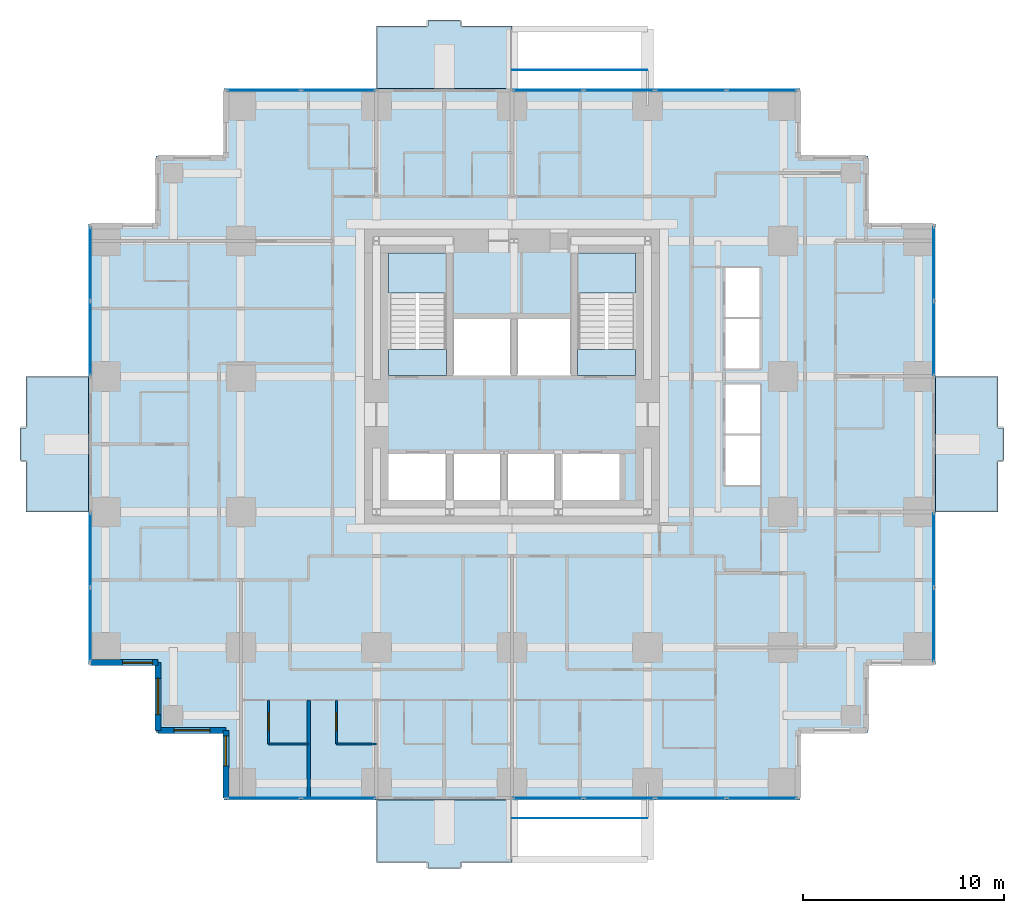
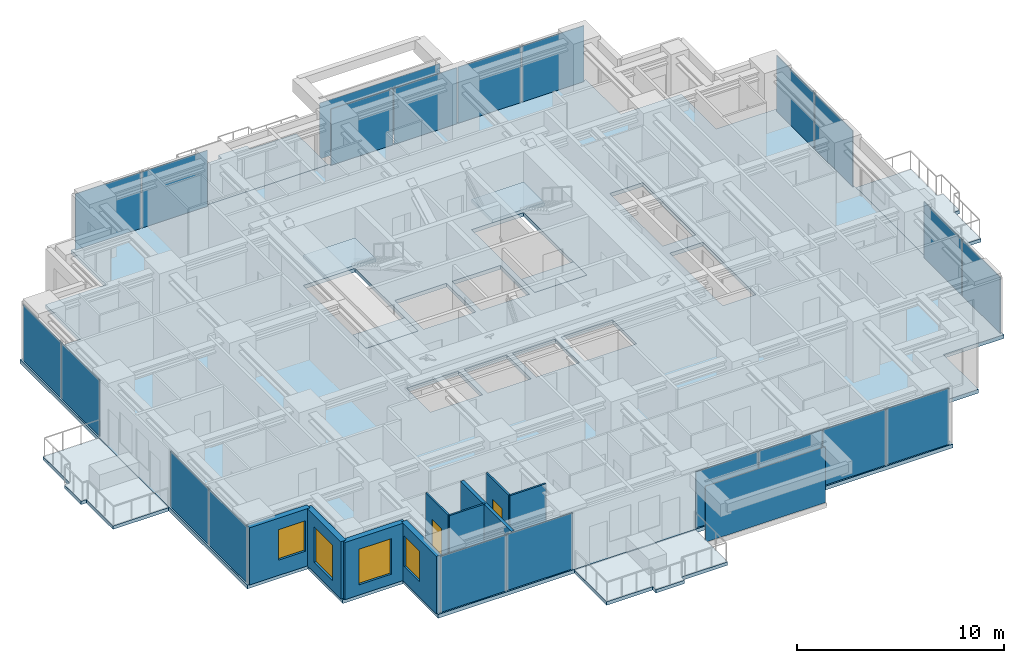
# One storey, part 6 of 13: 22 plates, 9 slabs, 9 walls, 4 windows, 2 doors, 6 openings, 10 elements without a shape of their own.
"""IFC4 building model written with IfcOpenShell, lengths in metres."""

from ifc_helpers import new_model, si_unit, direction, frame, frame_2d, origin, origin_2d, place, context, subcontext, project, spatial, polyline, rectangle, outline, extrude, material, layer, layer_set, type_object, element, fill, aggregate, save


model = new_model("IFC4")

# Units and contexts
model_context = context("Model", 3, precision=1e-05, world=origin(), true_north=direction((0.0, 1.0)))
body_context = subcontext(model_context, "Body", "Model", "MODEL_VIEW")
ifc_project = project(units=[si_unit("LENGTHUNIT", "METRE"), si_unit("AREAUNIT", "SQUARE_METRE"), si_unit("VOLUMEUNIT", "CUBIC_METRE"), si_unit("PLANEANGLEUNIT", "RADIAN"), si_unit("MASSUNIT", "GRAM", prefix="KILO")], contexts=[model_context])

# Site, building, storey
site_placement = place(None, origin())
site = spatial("IfcSite", under=ifc_project, at=site_placement, CompositionType="ELEMENT")
building_placement = place(site_placement, origin())
building = spatial("IfcBuilding", under=site, at=building_placement, Name="Nyansa Garden Tower", CompositionType="ELEMENT")
storey_placement = place(building_placement, frame((0.0, 0.0, 116.10009765625)))
storey = spatial("IfcBuildingStorey", under=building, at=storey_placement, Name="L31", CompositionType="ELEMENT", Elevation=116.10009765625)

# Slabs
ifc_material_1 = material(Name="Concrete C40/50", Category="concrete")
ifc_layer_1 = layer(ifc_material_1, 0.199951171875)
ifc_layer_set_1 = layer_set([ifc_layer_1], Name="Balcony slab BS200")
slab_type_1 = type_object("IfcSlabType", Name="Balcony slab BS200", PredefinedType="FLOOR", material=ifc_layer_set_1)
slab_1_placement = place(storey_placement, frame((0.0, 0.0, -0.239990234375)))
element("IfcSlab", 1, at=slab_1_placement, inside=storey, type_object=slab_type_1, Name="Balcony L31 S", PredefinedType="FLOOR", context=body_context, shape_type="SweptSolid", body=[
    extrude(outline(polyline([(13.5, -0.85009765625), (20.25, -0.85009765625), (20.25, -3.949951171875), (17.675048828125, -3.949951171875), (17.675048828125, -4.25), (16.074951171875, -4.25), (16.074951171875, -3.949951171875), (13.5, -3.949951171875), (13.5, -0.85009765625)])), origin(), (0.0, 0.0, 1.0), 0.199951171875),
])
slab_2_placement = place(storey_placement, frame((0.0, 0.0, -0.239990234375)))
element("IfcSlab", 2, at=slab_2_placement, inside=storey, type_object=slab_type_1, Name="Balcony L31 E", PredefinedType="FLOOR", context=body_context, shape_type="SweptSolid", body=[
    extrude(outline(polyline([(41.35009765625, 13.5), (41.35009765625, 20.25), (44.449951171875, 20.25), (44.449951171875, 17.675048828125), (44.75, 17.675048828125), (44.75, 16.074951171875), (44.449951171875, 16.074951171875), (44.449951171875, 13.5), (41.35009765625, 13.5)])), origin(), (0.0, 0.0, 1.0), 0.199951171875),
])
slab_3_placement = place(storey_placement, frame((0.0, 0.0, -0.239990234375)))
element("IfcSlab", 3, at=slab_3_placement, inside=storey, type_object=slab_type_1, Name="Balcony L31 N", PredefinedType="FLOOR", context=body_context, shape_type="SweptSolid", body=[
    extrude(outline(polyline([(13.5, 34.60009765625), (20.25, 34.60009765625), (20.25, 37.699951171875), (17.675048828125, 37.699951171875), (17.675048828125, 38.0), (16.074951171875, 38.0), (16.074951171875, 37.699951171875), (13.5, 37.699951171875), (13.5, 34.60009765625)])), origin(), (0.0, 0.0, 1.0), 0.199951171875),
])
slab_4_placement = place(storey_placement, frame((0.0, 0.0, -0.239990234375)))
element("IfcSlab", 4, at=slab_4_placement, inside=storey, type_object=slab_type_1, Name="Balcony L31 W", PredefinedType="FLOOR", context=body_context, shape_type="SweptSolid", body=[
    extrude(outline(polyline([(-0.85009765625, 13.5), (-0.85009765625, 20.25), (-3.949951171875, 20.25), (-3.949951171875, 17.675048828125), (-4.25, 17.675048828125), (-4.25, 16.074951171875), (-3.949951171875, 16.074951171875), (-3.949951171875, 13.5), (-0.85009765625, 13.5)])), origin(), (0.0, 0.0, 1.0), 0.199951171875),
])

# Curtain wall, plates
ifc_material_2 = material(Name="Black anodised aluminium, dark tinted double glazing", Category="aluminium")
curtain_wall_type = type_object("IfcCurtainWallType", Name="Inner skin curtain wall ISW-B", PredefinedType="USERDEFINED", material=ifc_material_2)
curtain_wall_1_placement = place(storey_placement, origin())
curtain_wall_1 = element("IfcCurtainWall", 5, at=curtain_wall_1_placement, inside=storey, type_object=curtain_wall_type, Name="Inner skin curtain wall L31 E", ObjectType="UNITISED CURTAIN WALL", PredefinedType="USERDEFINED")
ifc_material_3 = material(Name="Dark tinted laminated double glazing", Category="glass")
ifc_layer_2 = layer(ifc_material_3, 0.035888671875)
ifc_layer_set_2 = layer_set([ifc_layer_2], Name="Dark tinted vision panel VP-B")
plate_type_1 = type_object("IfcPlateType", Name="Dark tinted vision panel VP-B", PredefinedType="CURTAIN_PANEL", material=ifc_layer_set_2)
plate_1_placement = place(storey_placement, frame((41.25, 7.891357421875, -0.000244140625), z_axis=(0.0, 0.0, 1.0), x_axis=(0.0, 1.0, 0.0)))
plate_1 = element("IfcPlate", 6, at=plate_1_placement, type_object=plate_type_1, Name="ISW-B panel 1", PredefinedType="CURTAIN_PANEL", context=body_context, shape_type="SweptSolid", body=[
    extrude(rectangle(XDim=3.652587890625, YDim=0.035888671875, at=origin_2d()), origin(), (0.0, 0.0, 1.0), 3.31005859375),
])
plate_2_placement = place(storey_placement, frame((41.25, 11.608642578125, -0.000244140625), z_axis=(0.0, 0.0, 1.0), x_axis=(0.0, 1.0, 0.0)))
plate_2 = element("IfcPlate", 7, at=plate_2_placement, type_object=plate_type_1, Name="ISW-B panel 2", PredefinedType="CURTAIN_PANEL", context=body_context, shape_type="SweptSolid", body=[
    extrude(rectangle(XDim=3.652587890625, YDim=0.035888671875, at=origin_2d()), origin(), (0.0, 0.0, 1.0), 3.31005859375),
])
aggregate(curtain_wall_1, [plate_1, plate_2])

curtain_wall_2_placement = place(storey_placement, origin())
curtain_wall_2 = element("IfcCurtainWall", 8, at=curtain_wall_2_placement, inside=storey, type_object=curtain_wall_type, Name="Inner skin curtain wall L31 E", ObjectType="UNITISED CURTAIN WALL", PredefinedType="USERDEFINED")
plate_3_placement = place(storey_placement, frame((41.25, 22.141357421875, -0.000244140625), z_axis=(0.0, 0.0, 1.0), x_axis=(0.0, 1.0, 0.0)))
plate_3 = element("IfcPlate", 9, at=plate_3_placement, type_object=plate_type_1, Name="ISW-B panel 1", PredefinedType="CURTAIN_PANEL", context=body_context, shape_type="SweptSolid", body=[
    extrude(rectangle(XDim=3.652587890625, YDim=0.035888671875, at=origin_2d()), origin(), (0.0, 0.0, 1.0), 3.31005859375),
])
plate_4_placement = place(storey_placement, frame((41.25, 25.858642578125, -0.000244140625), z_axis=(0.0, 0.0, 1.0), x_axis=(0.0, 1.0, 0.0)))
plate_4 = element("IfcPlate", 10, at=plate_4_placement, type_object=plate_type_1, Name="ISW-B panel 2", PredefinedType="CURTAIN_PANEL", context=body_context, shape_type="SweptSolid", body=[
    extrude(rectangle(XDim=3.652587890625, YDim=0.035888671875, at=origin_2d()), origin(), (0.0, 0.0, 1.0), 3.31005859375),
])
aggregate(curtain_wall_2, [plate_3, plate_4])

curtain_wall_3_placement = place(storey_placement, origin())
curtain_wall_3 = element("IfcCurtainWall", 11, at=curtain_wall_3_placement, inside=storey, type_object=curtain_wall_type, Name="Inner skin curtain wall L31 N", ObjectType="UNITISED CURTAIN WALL", PredefinedType="USERDEFINED")
plate_5_placement = place(storey_placement, frame((11.608642578125, 34.5, -0.000244140625), z_axis=(0.0, 0.0, 1.0), x_axis=(-1.0, 0.0, 0.0)))
plate_5 = element("IfcPlate", 12, at=plate_5_placement, type_object=plate_type_1, Name="ISW-B panel 1", PredefinedType="CURTAIN_PANEL", context=body_context, shape_type="SweptSolid", body=[
    extrude(rectangle(XDim=3.652587890625, YDim=0.035888671875, at=origin_2d()), origin(), (0.0, 0.0, 1.0), 3.31005859375),
])
plate_6_placement = place(storey_placement, frame((7.891357421875, 34.5, -0.000244140625), z_axis=(0.0, 0.0, 1.0), x_axis=(-1.0, 0.0, 0.0)))
plate_6 = element("IfcPlate", 13, at=plate_6_placement, type_object=plate_type_1, Name="ISW-B panel 2", PredefinedType="CURTAIN_PANEL", context=body_context, shape_type="SweptSolid", body=[
    extrude(rectangle(XDim=3.652587890625, YDim=0.035888671875, at=origin_2d()), origin(), (0.0, 0.0, 1.0), 3.31005859375),
])
aggregate(curtain_wall_3, [plate_5, plate_6])

curtain_wall_4_placement = place(storey_placement, origin())
curtain_wall_4 = element("IfcCurtainWall", 14, at=curtain_wall_4_placement, inside=storey, type_object=curtain_wall_type, Name="Inner skin curtain wall L31 N", ObjectType="UNITISED CURTAIN WALL", PredefinedType="USERDEFINED")
plate_7_placement = place(storey_placement, frame((32.702392578125, 34.5, -0.000244140625), z_axis=(0.0, 0.0, 1.0), x_axis=(-1.0, 0.0, 0.0)))
plate_7 = element("IfcPlate", 15, at=plate_7_placement, type_object=plate_type_1, Name="ISW-B panel 1", PredefinedType="CURTAIN_PANEL", context=body_context, shape_type="SweptSolid", body=[
    extrude(rectangle(XDim=3.465087890625, YDim=0.035888671875, at=origin_2d()), origin(), (0.0, 0.0, 1.0), 3.31005859375),
])
plate_8_placement = place(storey_placement, frame((29.15625, 34.5, -0.000244140625), z_axis=(0.0, 0.0, 1.0), x_axis=(-1.0, 0.0, 0.0)))
plate_8 = element("IfcPlate", 16, at=plate_8_placement, type_object=plate_type_1, Name="ISW-B panel 2", PredefinedType="CURTAIN_PANEL", context=body_context, shape_type="SweptSolid", body=[
    extrude(rectangle(XDim=3.49755859375, YDim=0.035888671875, at=origin_2d()), origin(), (0.0, 0.0, 1.0), 3.31005859375),
])
plate_9_placement = place(storey_placement, frame((25.59375, 34.5, -0.000244140625), z_axis=(0.0, 0.0, 1.0), x_axis=(-1.0, 0.0, 0.0)))
plate_9 = element("IfcPlate", 17, at=plate_9_placement, type_object=plate_type_1, Name="ISW-B panel 3", PredefinedType="CURTAIN_PANEL", context=body_context, shape_type="SweptSolid", body=[
    extrude(rectangle(XDim=3.49755859375, YDim=0.035888671875, at=origin_2d()), origin(), (0.0, 0.0, 1.0), 3.31005859375),
])
plate_10_placement = place(storey_placement, frame((22.047607421875, 34.5, -0.000244140625), z_axis=(0.0, 0.0, 1.0), x_axis=(-1.0, 0.0, 0.0)))
plate_10 = element("IfcPlate", 18, at=plate_10_placement, type_object=plate_type_1, Name="ISW-B panel 4", PredefinedType="CURTAIN_PANEL", context=body_context, shape_type="SweptSolid", body=[
    extrude(rectangle(XDim=3.465087890625, YDim=0.035888671875, at=origin_2d()), origin(), (0.0, 0.0, 1.0), 3.31005859375),
])
aggregate(curtain_wall_4, [plate_7, plate_8, plate_9, plate_10])

curtain_wall_5_placement = place(storey_placement, origin())
curtain_wall_5 = element("IfcCurtainWall", 19, at=curtain_wall_5_placement, inside=storey, type_object=curtain_wall_type, Name="Inner skin curtain wall L31 W", ObjectType="UNITISED CURTAIN WALL", PredefinedType="USERDEFINED")
plate_11_placement = place(storey_placement, frame((-0.75, 11.608642578125, -0.000244140625), z_axis=(0.0, 0.0, 1.0), x_axis=(0.0, -1.0, 0.0)))
plate_11 = element("IfcPlate", 20, at=plate_11_placement, type_object=plate_type_1, Name="ISW-B panel 1", PredefinedType="CURTAIN_PANEL", context=body_context, shape_type="SweptSolid", body=[
    extrude(rectangle(XDim=3.652587890625, YDim=0.035888671875, at=origin_2d()), origin(), (0.0, 0.0, 1.0), 3.31005859375),
])
plate_12_placement = place(storey_placement, frame((-0.75, 7.891357421875, -0.000244140625), z_axis=(0.0, 0.0, 1.0), x_axis=(0.0, -1.0, 0.0)))
plate_12 = element("IfcPlate", 21, at=plate_12_placement, type_object=plate_type_1, Name="ISW-B panel 2", PredefinedType="CURTAIN_PANEL", context=body_context, shape_type="SweptSolid", body=[
    extrude(rectangle(XDim=3.652587890625, YDim=0.035888671875, at=origin_2d()), origin(), (0.0, 0.0, 1.0), 3.31005859375),
])
aggregate(curtain_wall_5, [plate_11, plate_12])

curtain_wall_6_placement = place(storey_placement, origin())
curtain_wall_6 = element("IfcCurtainWall", 22, at=curtain_wall_6_placement, inside=storey, type_object=curtain_wall_type, Name="Inner skin curtain wall L31 W", ObjectType="UNITISED CURTAIN WALL", PredefinedType="USERDEFINED")
plate_13_placement = place(storey_placement, frame((-0.75, 25.858642578125, -0.000244140625), z_axis=(0.0, 0.0, 1.0), x_axis=(0.0, -1.0, 0.0)))
plate_13 = element("IfcPlate", 23, at=plate_13_placement, type_object=plate_type_1, Name="ISW-B panel 1", PredefinedType="CURTAIN_PANEL", context=body_context, shape_type="SweptSolid", body=[
    extrude(rectangle(XDim=3.652587890625, YDim=0.035888671875, at=origin_2d()), origin(), (0.0, 0.0, 1.0), 3.31005859375),
])
plate_14_placement = place(storey_placement, frame((-0.75, 22.141357421875, -0.000244140625), z_axis=(0.0, 0.0, 1.0), x_axis=(0.0, -1.0, 0.0)))
plate_14 = element("IfcPlate", 24, at=plate_14_placement, type_object=plate_type_1, Name="ISW-B panel 2", PredefinedType="CURTAIN_PANEL", context=body_context, shape_type="SweptSolid", body=[
    extrude(rectangle(XDim=3.652587890625, YDim=0.035888671875, at=origin_2d()), origin(), (0.0, 0.0, 1.0), 3.31005859375),
])
aggregate(curtain_wall_6, [plate_13, plate_14])

curtain_wall_7_placement = place(storey_placement, origin())
curtain_wall_7 = element("IfcCurtainWall", 25, at=curtain_wall_7_placement, inside=storey, type_object=curtain_wall_type, Name="Inner skin curtain wall L31 S", ObjectType="UNITISED CURTAIN WALL", PredefinedType="USERDEFINED")
plate_15_placement = place(storey_placement, frame((7.891357421875, -0.75, -0.000244140625), z_axis=(0.0, 0.0, 1.0), x_axis=(1.0, 0.0, 0.0)))
plate_15 = element("IfcPlate", 26, at=plate_15_placement, type_object=plate_type_1, Name="ISW-B panel 1", PredefinedType="CURTAIN_PANEL", context=body_context, shape_type="SweptSolid", body=[
    extrude(rectangle(XDim=3.652587890625, YDim=0.035888671875, at=origin_2d()), origin(), (0.0, 0.0, 1.0), 3.31005859375),
])
plate_16_placement = place(storey_placement, frame((11.608642578125, -0.75, -0.000244140625), z_axis=(0.0, 0.0, 1.0), x_axis=(1.0, 0.0, 0.0)))
plate_16 = element("IfcPlate", 27, at=plate_16_placement, type_object=plate_type_1, Name="ISW-B panel 2", PredefinedType="CURTAIN_PANEL", context=body_context, shape_type="SweptSolid", body=[
    extrude(rectangle(XDim=3.652587890625, YDim=0.035888671875, at=origin_2d()), origin(), (0.0, 0.0, 1.0), 3.31005859375),
])
aggregate(curtain_wall_7, [plate_15, plate_16])

curtain_wall_8_placement = place(storey_placement, origin())
curtain_wall_8 = element("IfcCurtainWall", 28, at=curtain_wall_8_placement, inside=storey, type_object=curtain_wall_type, Name="Inner skin curtain wall L31 S", ObjectType="UNITISED CURTAIN WALL", PredefinedType="USERDEFINED")
plate_17_placement = place(storey_placement, frame((22.047607421875, -0.75, -0.000244140625), z_axis=(0.0, 0.0, 1.0), x_axis=(1.0, 0.0, 0.0)))
plate_17 = element("IfcPlate", 29, at=plate_17_placement, type_object=plate_type_1, Name="ISW-B panel 1", PredefinedType="CURTAIN_PANEL", context=body_context, shape_type="SweptSolid", body=[
    extrude(rectangle(XDim=3.465087890625, YDim=0.035888671875, at=origin_2d()), origin(), (0.0, 0.0, 1.0), 3.31005859375),
])
plate_18_placement = place(storey_placement, frame((25.59375, -0.75, -0.000244140625), z_axis=(0.0, 0.0, 1.0), x_axis=(1.0, 0.0, 0.0)))
plate_18 = element("IfcPlate", 30, at=plate_18_placement, type_object=plate_type_1, Name="ISW-B panel 2", PredefinedType="CURTAIN_PANEL", context=body_context, shape_type="SweptSolid", body=[
    extrude(rectangle(XDim=3.49755859375, YDim=0.035888671875, at=origin_2d()), origin(), (0.0, 0.0, 1.0), 3.31005859375),
])
plate_19_placement = place(storey_placement, frame((29.15625, -0.75, -0.000244140625), z_axis=(0.0, 0.0, 1.0), x_axis=(1.0, 0.0, 0.0)))
plate_19 = element("IfcPlate", 31, at=plate_19_placement, type_object=plate_type_1, Name="ISW-B panel 3", PredefinedType="CURTAIN_PANEL", context=body_context, shape_type="SweptSolid", body=[
    extrude(rectangle(XDim=3.49755859375, YDim=0.035888671875, at=origin_2d()), origin(), (0.0, 0.0, 1.0), 3.31005859375),
])
plate_20_placement = place(storey_placement, frame((32.702392578125, -0.75, -0.000244140625), z_axis=(0.0, 0.0, 1.0), x_axis=(1.0, 0.0, 0.0)))
plate_20 = element("IfcPlate", 32, at=plate_20_placement, type_object=plate_type_1, Name="ISW-B panel 4", PredefinedType="CURTAIN_PANEL", context=body_context, shape_type="SweptSolid", body=[
    extrude(rectangle(XDim=3.465087890625, YDim=0.035888671875, at=origin_2d()), origin(), (0.0, 0.0, 1.0), 3.31005859375),
])
aggregate(curtain_wall_8, [plate_17, plate_18, plate_19, plate_20])

# Slab
ifc_material_4 = material(Name="Concrete C40/50", Category="concrete")
ifc_layer_3 = layer(ifc_material_4, 0.22509765625)
ifc_layer_set_3 = layer_set([ifc_layer_3], Name="Floor slab FS225")
slab_type_2 = type_object("IfcSlabType", Name="Floor slab FS225", PredefinedType="FLOOR", material=ifc_layer_set_3)
slab_5_placement = place(storey_placement, frame((0.0, 0.0, -0.22509765625)))
element("IfcSlab", 33, at=slab_5_placement, inside=storey, type_object=slab_type_2, Name="Floor slab L31", PredefinedType="FLOOR", context=body_context, shape_type="SweptSolid", body=[
    extrude(outline(polyline([(41.35009765625, 5.89990234375), (37.97509765625, 5.89990234375), (37.97509765625, 2.52490234375), (34.60009765625, 2.52490234375), (34.60009765625, -0.85009765625), (5.89990234375, -0.85009765625), (5.89990234375, 2.52490234375), (2.52490234375, 2.52490234375), (2.52490234375, 5.89990234375), (-0.85009765625, 5.89990234375), (-0.85009765625, 27.85009765625), (2.52490234375, 27.85009765625), (2.52490234375, 31.22509765625), (5.89990234375, 31.22509765625), (5.89990234375, 34.60009765625), (34.60009765625, 34.60009765625), (34.60009765625, 31.22509765625), (37.97509765625, 31.22509765625), (37.97509765625, 27.85009765625), (41.35009765625, 27.85009765625), (41.35009765625, 5.89990234375)]), holes=[polyline([(14.10009765625, 14.10009765625), (17.0, 14.10009765625), (17.0, 16.39990234375), (14.10009765625, 16.39990234375), (14.10009765625, 14.10009765625)]), polyline([(17.300048828125, 14.10009765625), (19.699951171875, 14.10009765625), (19.699951171875, 16.39990234375), (17.300048828125, 16.39990234375), (17.300048828125, 14.10009765625)]), polyline([(20.0, 14.10009765625), (22.39990234375, 14.10009765625), (22.39990234375, 16.39990234375), (20.0, 16.39990234375), (20.0, 14.10009765625)]), polyline([(22.699951171875, 14.10009765625), (25.60009765625, 14.10009765625), (25.60009765625, 16.39990234375), (22.699951171875, 16.39990234375), (22.699951171875, 14.10009765625)]), polyline([(17.300048828125, 20.300048828125), (20.199951171875, 20.300048828125), (20.199951171875, 23.10009765625), (17.300048828125, 23.10009765625), (17.300048828125, 20.300048828125)]), polyline([(20.5, 20.300048828125), (23.199951171875, 20.300048828125), (23.199951171875, 23.10009765625), (20.5, 23.10009765625), (20.5, 20.300048828125)]), polyline([(30.800048828125, 14.800048828125), (32.64990234375, 14.800048828125), (32.64990234375, 19.89990234375), (30.800048828125, 19.89990234375), (30.800048828125, 14.800048828125)]), polyline([(30.800048828125, 20.60009765625), (32.64990234375, 20.60009765625), (32.64990234375, 25.699951171875), (30.800048828125, 25.699951171875), (30.800048828125, 20.60009765625)]), polyline([(14.10009765625, 20.300048828125), (17.0, 20.300048828125), (17.0, 26.39990234375), (14.10009765625, 26.39990234375), (14.10009765625, 20.300048828125)]), polyline([(23.5, 20.300048828125), (26.39990234375, 20.300048828125), (26.39990234375, 26.39990234375), (23.5, 26.39990234375), (23.5, 20.300048828125)])]), origin(), (0.0, 0.0, 1.0), 0.22509765625),
])

# Plates
ifc_material_5 = material(Name="Dark tinted laminated glass", Category="glass")
ifc_layer_4 = layer(ifc_material_5, 0.02392578125)
ifc_layer_set_4 = layer_set([ifc_layer_4], Name="Outer skin glass panel OS1")
plate_type_2 = type_object("IfcPlateType", Name="Outer skin glass panel OS1", PredefinedType="USERDEFINED", material=ifc_layer_set_4)
for number, where, z_axis, x_axis, name in (
    (34, (23.625, 35.5, -0.22509765625), (0.0, 0.0, 1.0), (1.0, 0.0, 0.0), "Outer skin glass panel L31"),
    (35, (23.625, -1.75, -0.22509765625), (0.0, 0.0, 1.0), (1.0, 0.0, 0.0), "Outer skin glass panel L31"),
):
    element("IfcPlate", number, at=place(storey_placement, frame(where, z_axis=z_axis, x_axis=x_axis)), inside=storey, type_object=plate_type_2, Name=name, ObjectType="OUTER SKIN GLASS", PredefinedType="USERDEFINED", context=body_context, shape_type="SweptSolid", body=[
        extrude(rectangle(XDim=6.7099609375, YDim=0.02392578125, at=origin_2d()), origin(), (0.0, 0.0, 1.0), 3.300048828125),
    ])

# Stair, slabs
ifc_material_6 = material(Name="Precast concrete C40/50", Category="concrete")
stair_type_1 = type_object("IfcStairType", Name="Stair S1 164x280", PredefinedType="HALF_TURN_STAIR", material=ifc_material_6)
stair_1_placement = place(storey_placement, origin())
stair_1 = element("IfcStair", 36, at=stair_1_placement, inside=storey, type_object=stair_type_1, Name="Stair S1 L31", PredefinedType="HALF_TURN_STAIR")
ifc_material_7 = material(Name="Concrete C40/50", Category="concrete")
ifc_layer_5 = layer(ifc_material_7, 0.199951171875)
ifc_layer_set_5 = layer_set([ifc_layer_5], Name="Stair landing SL200")
slab_type_3 = type_object("IfcSlabType", Name="Stair landing SL200", PredefinedType="LANDING", material=ifc_layer_set_5)
slab_6_placement = place(storey_placement, frame((0.0, 0.0, -0.2001953125)))
slab_6 = element("IfcSlab", 37, at=slab_6_placement, type_object=slab_type_3, Name="S1 landing 1", PredefinedType="LANDING", context=body_context, shape_type="SweptSolid", body=[
    extrude(outline(polyline([(14.10009765625, 20.300048828125), (17.0, 20.300048828125), (17.0, 21.60009765625), (14.10009765625, 21.60009765625), (14.10009765625, 20.300048828125)])), origin(), (0.0, 0.0, 1.0), 0.2001953125),
])
slab_7_placement = place(storey_placement, frame((0.0, 0.0, 1.599853515625)))
slab_7 = element("IfcSlab", 38, at=slab_7_placement, type_object=slab_type_3, Name="S1 landing 2", PredefinedType="LANDING", context=body_context, shape_type="SweptSolid", body=[
    extrude(outline(polyline([(14.10009765625, 24.39990234375), (17.0, 24.39990234375), (17.0, 26.39990234375), (14.10009765625, 26.39990234375), (14.10009765625, 24.39990234375)])), origin(), (0.0, 0.0, 1.0), 0.199951171875),
])
aggregate(stair_1, [slab_6, slab_7])

ifc_material_8 = material(Name="Precast concrete C40/50", Category="concrete")
stair_type_2 = type_object("IfcStairType", Name="Stair S2 164x280", PredefinedType="HALF_TURN_STAIR", material=ifc_material_8)
stair_2_placement = place(storey_placement, origin())
stair_2 = element("IfcStair", 39, at=stair_2_placement, inside=storey, type_object=stair_type_2, Name="Stair S2 L31", PredefinedType="HALF_TURN_STAIR")
slab_8_placement = place(storey_placement, frame((0.0, 0.0, -0.2001953125)))
slab_8 = element("IfcSlab", 40, at=slab_8_placement, type_object=slab_type_3, Name="S2 landing 1", PredefinedType="LANDING", context=body_context, shape_type="SweptSolid", body=[
    extrude(outline(polyline([(23.5, 20.300048828125), (26.39990234375, 20.300048828125), (26.39990234375, 21.60009765625), (23.5, 21.60009765625), (23.5, 20.300048828125)])), origin(), (0.0, 0.0, 1.0), 0.2001953125),
])
slab_9_placement = place(storey_placement, frame((0.0, 0.0, 1.599853515625)))
slab_9 = element("IfcSlab", 41, at=slab_9_placement, type_object=slab_type_3, Name="S2 landing 2", PredefinedType="LANDING", context=body_context, shape_type="SweptSolid", body=[
    extrude(outline(polyline([(23.5, 24.39990234375), (26.39990234375, 24.39990234375), (26.39990234375, 26.39990234375), (23.5, 26.39990234375), (23.5, 24.39990234375)])), origin(), (0.0, 0.0, 1.0), 0.199951171875),
])
aggregate(stair_2, [slab_8, slab_9])

# Wall
ifc_material_9 = material(Name="Dense blockwork, plastered both sides, 55 dB", Category="masonry")
ifc_layer_6 = layer(ifc_material_9, 0.175048828125)
ifc_layer_set_6 = layer_set([ifc_layer_6], Name="Acoustic party wall PW175")
wall_type_1 = type_object("IfcWallType", Name="Acoustic party wall PW175", PredefinedType="PARTITIONING", material=ifc_layer_set_6)
wall_1_placement = place(storey_placement, frame((10.125, -0.73388671875, 0.0), z_axis=(0.0, 0.0, 1.0), x_axis=(0.0, 1.0, 0.0)))
element("IfcWall", 42, at=wall_1_placement, inside=storey, type_object=wall_type_1, Name="Party wall", PredefinedType="PARTITIONING", context=body_context, shape_type="SweptSolid", body=[
    extrude(rectangle(XDim=4.8837890625, YDim=0.175048828125, at=frame_2d((2.44189453125, 0.0))), origin(), (0.0, 0.0, 1.0), 3.375),
])

# Wall, opening, window
ifc_material_10 = material(Name="Turquoise glazed tile on concrete blockwork", Category="masonry")
ifc_layer_7 = layer(ifc_material_10, 0.300048828125)
ifc_layer_set_7 = layer_set([ifc_layer_7], Name="Tiled corner wall TW300")
wall_type_2 = type_object("IfcWallType", Name="Tiled corner wall TW300", PredefinedType="SOLIDWALL", material=ifc_layer_set_7)
wall_2_placement = place(storey_placement, frame((-0.75, 6.0, 0.0), z_axis=(0.0, 0.0, 1.0), x_axis=(1.0, 0.0, 0.0)))
wall_2 = element("IfcWall", 43, at=wall_2_placement, inside=storey, type_object=wall_type_2, Name="Tiled corner wall L31", PredefinedType="SOLIDWALL", context=body_context, shape_type="SweptSolid", body=[
    extrude(rectangle(XDim=3.375, YDim=0.300048828125, at=frame_2d((1.6875, 0.0))), origin(), (0.0, 0.0, 1.0), 3.375),
])
opening_1_placement = place(wall_2_placement, frame((1.607421875, 0.0, 0.89990234375)))
opening_1 = element("IfcOpeningElement", 44, at=opening_1_placement, cuts=wall_2, Name="Opening W1", PredefinedType="OPENING", context=body_context, shape_type="SweptSolid", body=[
    extrude(rectangle(XDim=1.5, YDim=1.800048828125, at=frame_2d((0.75, 0.89990234375))), frame((0.0, 0.159912109375, 0.0), z_axis=(0.0, -1.0, 0.0), x_axis=(1.0, 0.0, 0.0)), (0.0, 0.0, 1.0), 0.320068359375),
])
ifc_material_11 = material(Name="Black aluminium frame, dark tinted double glazing", Category="aluminium")
window_type_1 = type_object("IfcWindowType", Name="Window W1 1500x1800", PartitioningType="SINGLE_PANEL", PredefinedType="WINDOW", material=ifc_material_11)
window_1_placement = place(opening_1_placement, origin())
window_1 = element("IfcWindow", 45, at=window_1_placement, inside=storey, type_object=window_type_1, Name="Corner window L31", OverallHeight=1.800048828125, OverallWidth=1.5, PartitioningType="SINGLE_PANEL", PredefinedType="WINDOW", context=body_context, shape_type="SweptSolid", body=[
    extrude(rectangle(XDim=1.5, YDim=1.800048828125, at=frame_2d((0.75, 0.89990234375))), frame((0.0, 0.030029296875, 0.0), z_axis=(0.0, -1.0, 0.0), x_axis=(1.0, 0.0, 0.0)), (0.0, 0.0, 1.0), 0.06005859375),
])
fill(opening_1, window_1)

wall_3_placement = place(storey_placement, frame((2.625, 6.0, 0.0), z_axis=(0.0, 0.0, 1.0), x_axis=(0.0, -1.0, 0.0)))
wall_3 = element("IfcWall", 46, at=wall_3_placement, inside=storey, type_object=wall_type_2, Name="Tiled corner wall L31", PredefinedType="SOLIDWALL", context=body_context, shape_type="SweptSolid", body=[
    extrude(rectangle(XDim=3.375, YDim=0.300048828125, at=frame_2d((1.6875, 0.0))), origin(), (0.0, 0.0, 1.0), 3.375),
])
opening_2_placement = place(wall_3_placement, frame((0.78759765625, 0.0, 0.60009765625)))
opening_2 = element("IfcOpeningElement", 47, at=opening_2_placement, cuts=wall_3, Name="Opening W2", PredefinedType="OPENING", context=body_context, shape_type="SweptSolid", body=[
    extrude(rectangle(XDim=1.800048828125, YDim=2.10009765625, at=frame_2d((0.89990234375, 1.050048828125))), frame((0.0, 0.159912109375, 0.0), z_axis=(0.0, -1.0, 0.0), x_axis=(1.0, 0.0, 0.0)), (0.0, 0.0, 1.0), 0.320068359375),
])
ifc_material_12 = material(Name="Black aluminium frame, dark tinted double glazing", Category="aluminium")
window_type_2 = type_object("IfcWindowType", Name="Window W2 1800x2100", PartitioningType="SINGLE_PANEL", PredefinedType="WINDOW", material=ifc_material_12)
window_2_placement = place(opening_2_placement, origin())
window_2 = element("IfcWindow", 48, at=window_2_placement, inside=storey, type_object=window_type_2, Name="Corner window L31", OverallHeight=2.10009765625, OverallWidth=1.800048828125, PartitioningType="SINGLE_PANEL", PredefinedType="WINDOW", context=body_context, shape_type="SweptSolid", body=[
    extrude(rectangle(XDim=1.800048828125, YDim=2.10009765625, at=frame_2d((0.89990234375, 1.050048828125))), frame((0.0, 0.030029296875, 0.0), z_axis=(0.0, -1.0, 0.0), x_axis=(1.0, 0.0, 0.0)), (0.0, 0.0, 1.0), 0.06005859375),
])
fill(opening_2, window_2)

wall_4_placement = place(storey_placement, frame((2.625, 2.625, 0.0), z_axis=(0.0, 0.0, 1.0), x_axis=(1.0, 0.0, 0.0)))
wall_4 = element("IfcWall", 49, at=wall_4_placement, inside=storey, type_object=wall_type_2, Name="Tiled corner wall L31", PredefinedType="SOLIDWALL", context=body_context, shape_type="SweptSolid", body=[
    extrude(rectangle(XDim=3.375, YDim=0.300048828125, at=frame_2d((1.6875, 0.0))), origin(), (0.0, 0.0, 1.0), 3.375),
])
opening_3_placement = place(wall_4_placement, frame((0.78759765625, 0.0, 0.60009765625)))
opening_3 = element("IfcOpeningElement", 50, at=opening_3_placement, cuts=wall_4, Name="Opening W2", PredefinedType="OPENING", context=body_context, shape_type="SweptSolid", body=[
    extrude(rectangle(XDim=1.800048828125, YDim=2.10009765625, at=frame_2d((0.89990234375, 1.050048828125))), frame((0.0, 0.159912109375, 0.0), z_axis=(0.0, -1.0, 0.0), x_axis=(1.0, 0.0, 0.0)), (0.0, 0.0, 1.0), 0.320068359375),
])
window_3_placement = place(opening_3_placement, origin())
window_3 = element("IfcWindow", 51, at=window_3_placement, inside=storey, type_object=window_type_2, Name="Corner window L31", OverallHeight=2.10009765625, OverallWidth=1.800048828125, PartitioningType="SINGLE_PANEL", PredefinedType="WINDOW", context=body_context, shape_type="SweptSolid", body=[
    extrude(rectangle(XDim=1.800048828125, YDim=2.10009765625, at=frame_2d((0.89990234375, 1.050048828125))), frame((0.0, 0.030029296875, 0.0), z_axis=(0.0, -1.0, 0.0), x_axis=(1.0, 0.0, 0.0)), (0.0, 0.0, 1.0), 0.06005859375),
])
fill(opening_3, window_3)

wall_5_placement = place(storey_placement, frame((6.0, 2.625, 0.0), z_axis=(0.0, 0.0, 1.0), x_axis=(0.0, -1.0, 0.0)))
wall_5 = element("IfcWall", 52, at=wall_5_placement, inside=storey, type_object=wall_type_2, Name="Tiled corner wall L31", PredefinedType="SOLIDWALL", context=body_context, shape_type="SweptSolid", body=[
    extrude(rectangle(XDim=3.375, YDim=0.300048828125, at=frame_2d((1.6875, 0.0))), origin(), (0.0, 0.0, 1.0), 3.375),
])
opening_4_placement = place(wall_5_placement, frame((0.267578125, 0.0, 0.89990234375)))
opening_4 = element("IfcOpeningElement", 53, at=opening_4_placement, cuts=wall_5, Name="Opening W1", PredefinedType="OPENING", context=body_context, shape_type="SweptSolid", body=[
    extrude(rectangle(XDim=1.5, YDim=1.800048828125, at=frame_2d((0.75, 0.89990234375))), frame((0.0, 0.159912109375, 0.0), z_axis=(0.0, -1.0, 0.0), x_axis=(1.0, 0.0, 0.0)), (0.0, 0.0, 1.0), 0.320068359375),
])
window_4_placement = place(opening_4_placement, origin())
window_4 = element("IfcWindow", 54, at=window_4_placement, inside=storey, type_object=window_type_1, Name="Corner window L31", OverallHeight=1.800048828125, OverallWidth=1.5, PartitioningType="SINGLE_PANEL", PredefinedType="WINDOW", context=body_context, shape_type="SweptSolid", body=[
    extrude(rectangle(XDim=1.5, YDim=1.800048828125, at=frame_2d((0.75, 0.89990234375))), frame((0.0, 0.030029296875, 0.0), z_axis=(0.0, -1.0, 0.0), x_axis=(1.0, 0.0, 0.0)), (0.0, 0.0, 1.0), 0.06005859375),
])
fill(opening_4, window_4)

# Wall, opening, door
ifc_material_13 = material(Name="Moisture resistant board on steel studs, tiled", Category="steel")
ifc_layer_8 = layer(ifc_material_13, 0.10009765625)
ifc_layer_set_8 = layer_set([ifc_layer_8], Name="Wet wall PW100")
wall_type_3 = type_object("IfcWallType", Name="Wet wall PW100", PredefinedType="PARTITIONING", material=ifc_layer_set_8)
wall_6_placement = place(storey_placement, frame((8.125, 1.949951171875, 0.0), z_axis=(0.0, 0.0, 1.0), x_axis=(0.0, 1.0, 0.0)))
wall_6 = element("IfcWall", 55, at=wall_6_placement, inside=storey, type_object=wall_type_3, Name="Wet wall", PredefinedType="PARTITIONING", context=body_context, shape_type="SweptSolid", body=[
    extrude(rectangle(XDim=2.199951171875, YDim=0.10009765625, at=frame_2d((1.10009765625, 0.0))), origin(), (0.0, 0.0, 1.0), 3.375),
])
opening_5_placement = place(wall_6_placement, frame((0.64990234375, 0.0, 0.0)))
opening_5 = element("IfcOpeningElement", 56, at=opening_5_placement, cuts=wall_6, Name="Opening D02", PredefinedType="OPENING", context=body_context, shape_type="SweptSolid", body=[
    extrude(rectangle(XDim=0.89990234375, YDim=2.199951171875, at=frame_2d((0.449951171875, 1.10009765625))), frame((0.0, 0.06005859375, 0.0), z_axis=(0.0, -1.0, 0.0), x_axis=(1.0, 0.0, 0.0)), (0.0, 0.0, 1.0), 0.1201171875),
])
ifc_material_14 = material(Name="Timber flush door", Category="wood")
door_type = type_object("IfcDoorType", Name="En-suite door D02 900x2200", OperationType="SINGLE_SWING_RIGHT", PredefinedType="DOOR", material=ifc_material_14)
door_1_placement = place(opening_5_placement, origin())
door_1 = element("IfcDoor", 57, at=door_1_placement, inside=storey, type_object=door_type, Name="Door L31-019", OperationType="SINGLE_SWING_RIGHT", OverallHeight=2.199951171875, OverallWidth=0.89990234375, PredefinedType="DOOR", context=body_context, shape_type="SweptSolid", body=[
    extrude(rectangle(XDim=0.89990234375, YDim=2.199951171875, at=frame_2d((0.449951171875, 1.10009765625))), frame((0.0, 0.02490234375, 0.0), z_axis=(0.0, -1.0, 0.0), x_axis=(1.0, 0.0, 0.0)), (0.0, 0.0, 1.0), 0.050048828125),
])
fill(opening_5, door_1)

# Wall
wall_7_placement = place(storey_placement, frame((8.125, 1.949951171875, 0.0), z_axis=(0.0, 0.0, 1.0), x_axis=(1.0, 0.0, 0.0)))
element("IfcWall", 58, at=wall_7_placement, inside=storey, type_object=wall_type_3, Name="Wet wall", PredefinedType="PARTITIONING", context=body_context, shape_type="SweptSolid", body=[
    extrude(rectangle(XDim=2.0, YDim=0.10009765625, at=frame_2d((1.0, 0.0))), origin(), (0.0, 0.0, 1.0), 3.375),
])

# Wall, opening, door
wall_8_placement = place(storey_placement, frame((11.5, 1.949951171875, 0.0), z_axis=(0.0, 0.0, 1.0), x_axis=(0.0, 1.0, 0.0)))
wall_8 = element("IfcWall", 59, at=wall_8_placement, inside=storey, type_object=wall_type_3, Name="Wet wall", PredefinedType="PARTITIONING", context=body_context, shape_type="SweptSolid", body=[
    extrude(rectangle(XDim=2.199951171875, YDim=0.10009765625, at=frame_2d((1.10009765625, 0.0))), origin(), (0.0, 0.0, 1.0), 3.375),
])
opening_6_placement = place(wall_8_placement, frame((0.64990234375, 0.0, 0.0)))
opening_6 = element("IfcOpeningElement", 60, at=opening_6_placement, cuts=wall_8, Name="Opening D02", PredefinedType="OPENING", context=body_context, shape_type="SweptSolid", body=[
    extrude(rectangle(XDim=0.89990234375, YDim=2.199951171875, at=frame_2d((0.449951171875, 1.10009765625))), frame((0.0, 0.06005859375, 0.0), z_axis=(0.0, -1.0, 0.0), x_axis=(1.0, 0.0, 0.0)), (0.0, 0.0, 1.0), 0.1201171875),
])
door_2_placement = place(opening_6_placement, origin())
door_2 = element("IfcDoor", 61, at=door_2_placement, inside=storey, type_object=door_type, Name="Door L31-021", OperationType="SINGLE_SWING_RIGHT", OverallHeight=2.199951171875, OverallWidth=0.89990234375, PredefinedType="DOOR", context=body_context, shape_type="SweptSolid", body=[
    extrude(rectangle(XDim=0.89990234375, YDim=2.199951171875, at=frame_2d((0.449951171875, 1.10009765625))), frame((0.0, 0.02490234375, 0.0), z_axis=(0.0, -1.0, 0.0), x_axis=(1.0, 0.0, 0.0)), (0.0, 0.0, 1.0), 0.050048828125),
])
fill(opening_6, door_2)

# Wall
wall_9_placement = place(storey_placement, frame((11.5, 1.949951171875, 0.0), z_axis=(0.0, 0.0, 1.0), x_axis=(1.0, 0.0, 0.0)))
element("IfcWall", 62, at=wall_9_placement, inside=storey, type_object=wall_type_3, Name="Wet wall", PredefinedType="PARTITIONING", context=body_context, shape_type="SweptSolid", body=[
    extrude(rectangle(XDim=2.0, YDim=0.10009765625, at=frame_2d((1.0, 0.0))), origin(), (0.0, 0.0, 1.0), 3.375),
])

save(model, "model.ifc")
